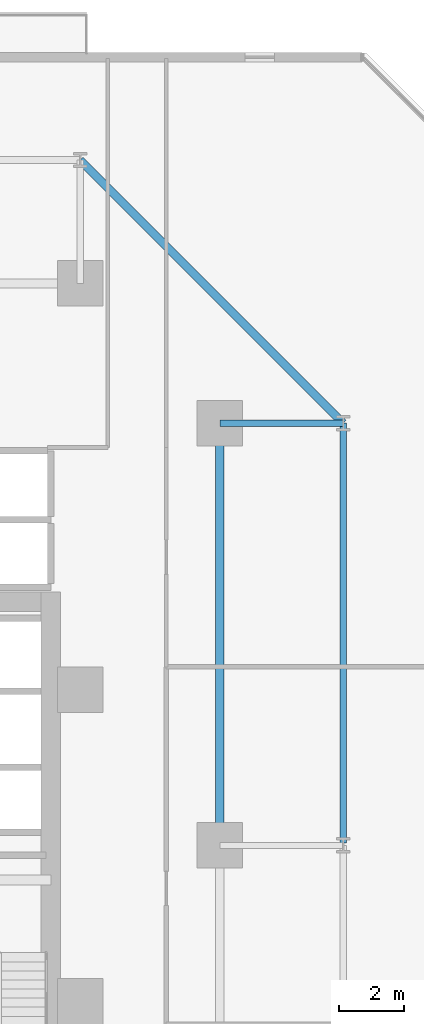
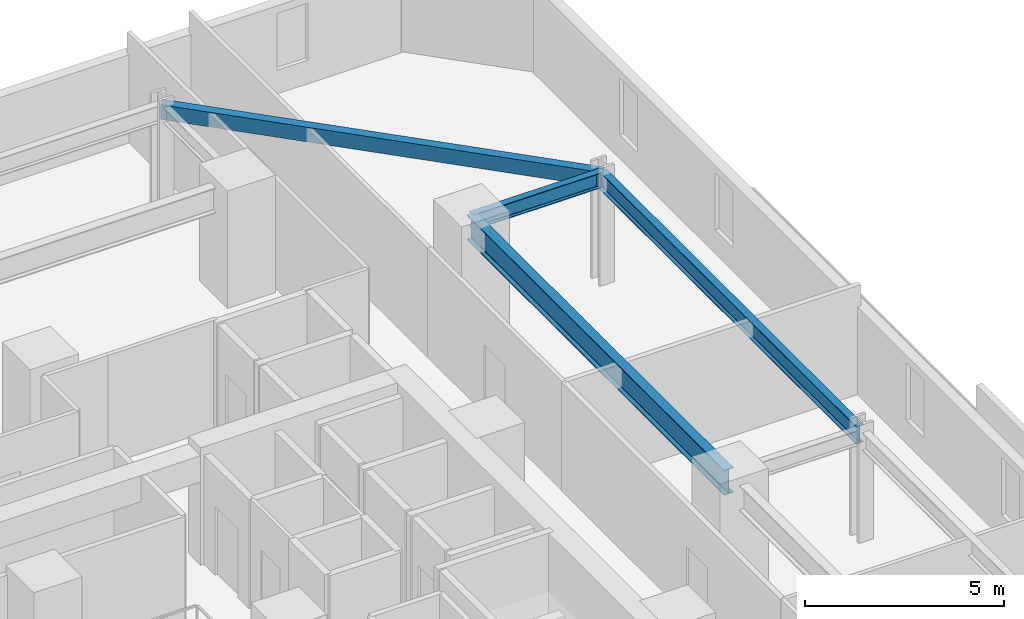
# One storey, part 17 of 34: 4 beams.
"""IFC4 building model written with IfcOpenShell, lengths in metres."""

from ifc_helpers import new_model, si_unit, direction, frame, origin, origin_2d, place, context, subcontext, project, spatial, hollow_rectangle, i_section, extrude, material, material_profile, profile_set, type_object, element, save


model = new_model("IFC4")

# Units and contexts
model_context = context("Model", 3, precision=1e-05, world=origin(), true_north=direction((0.0, 1.0)))
body_context = subcontext(model_context, "Body", "Model", "MODEL_VIEW")
ifc_project = project(units=[si_unit("LENGTHUNIT", "METRE"), si_unit("AREAUNIT", "SQUARE_METRE"), si_unit("VOLUMEUNIT", "CUBIC_METRE"), si_unit("PLANEANGLEUNIT", "RADIAN"), si_unit("MASSUNIT", "GRAM", prefix="KILO")], contexts=[model_context])

# Site, building, storey
site_placement = place(None, origin())
site = spatial("IfcSite", under=ifc_project, at=site_placement, CompositionType="ELEMENT")
building_placement = place(site_placement, origin())
building = spatial("IfcBuilding", under=site, at=building_placement, Name="Thornwick Lancets Civic Towers", CompositionType="ELEMENT")
storey_placement = place(building_placement, frame((0.0, 0.0, 60.89990234375)))
storey = spatial("IfcBuildingStorey", under=building, at=storey_placement, Name="L15", CompositionType="ELEMENT", Elevation=60.89990234375)

# Beams
ifc_material = material(Name="Steel S355JR", Category="steel")
ifc_material_profile_1 = material_profile(ifc_material, i_section(OverallWidth=0.2119140625, OverallDepth=0.54443359375, WebThickness=0.0126953125, FlangeThickness=0.021240234375, FilletRadius=0.0126953125, at=origin_2d()), Name="UKB 533x210x122")
ifc_profile_set_1 = profile_set([ifc_material_profile_1], Name="Steel S355JR")
beam_type_1 = type_object("IfcBeamType", Name="BM_EDGE_533_122", PredefinedType="SPANDREL", material=ifc_profile_set_1)
beam_1_placement = place(storey_placement, frame((109.60009765625, 27.080078125, 3.087890625), z_axis=(0.0, 1.0, 0.0), x_axis=(-1.0, 0.0, 0.0)))
element("IfcBeam", 1, at=beam_1_placement, inside=storey, type_object=beam_type_1, Name="BM-EDGE-L15-B-S0-2", PredefinedType="SPANDREL", context=body_context, shape_type="SweptSolid", body=[
    extrude(i_section(OverallWidth=0.2119140625, OverallDepth=0.54443359375, WebThickness=0.0126953125, FlangeThickness=0.021240234375, FilletRadius=0.0126953125, at=origin_2d()), origin(), (0.0, 0.0, 1.0), 12.919921875),
])
ifc_material_profile_2 = material_profile(ifc_material, i_section(OverallWidth=0.26806640625, OverallDepth=0.769775390625, WebThickness=0.015625, FlangeThickness=0.025390625, FilletRadius=0.0166015625, at=origin_2d()), Name="UKB 762x267x197")
ifc_profile_set_2 = profile_set([ifc_material_profile_2], Name="Steel S355JR")
beam_type_2 = type_object("IfcBeamType", Name="BM_GIRD_762_197", PredefinedType="BEAM", material=ifc_profile_set_2)
beam_2_placement = place(storey_placement, frame((105.800048828125, 27.080078125, 2.97509765625), z_axis=(0.0, 1.0, 0.0), x_axis=(-1.0, 0.0, 0.0)))
element("IfcBeam", 2, at=beam_2_placement, inside=storey, type_object=beam_type_2, Name="BM-SPINE-L15-B-1-2", PredefinedType="BEAM", context=body_context, shape_type="SweptSolid", body=[
    extrude(i_section(OverallWidth=0.26806640625, OverallDepth=0.769775390625, WebThickness=0.015625, FlangeThickness=0.025390625, FilletRadius=0.0166015625, at=origin_2d()), origin(), (0.0, 0.0, 1.0), 12.919921875),
])
ifc_material_profile_3 = material_profile(ifc_material, i_section(OverallWidth=0.19287109375, OverallDepth=0.46728515625, WebThickness=0.011474609375, FlangeThickness=0.01953125, FilletRadius=0.01025390625, at=origin_2d()), Name="UKB 457x191x98")
ifc_profile_set_3 = profile_set([ifc_material_profile_3], Name="Steel S355JR")
beam_type_3 = type_object("IfcBeamType", Name="BM_JOIST_457_98", PredefinedType="JOIST", material=ifc_profile_set_3)
beam_3_placement = place(storey_placement, frame((105.800048828125, 40.0, 3.12646484375), z_axis=(1.0, 0.0, 0.0), x_axis=(0.0, 1.0, 0.0)))
element("IfcBeam", 3, at=beam_3_placement, inside=storey, type_object=beam_type_3, Name="BM-RAD-L15-B03", PredefinedType="JOIST", context=body_context, shape_type="SweptSolid", body=[
    extrude(i_section(OverallWidth=0.19287109375, OverallDepth=0.46728515625, WebThickness=0.011474609375, FlangeThickness=0.01953125, FilletRadius=0.01025390625, at=origin_2d()), origin(), (0.0, 0.0, 1.0), 3.800048828125),
])
ifc_material_profile_4 = material_profile(ifc_material, hollow_rectangle(XDim=0.25, YDim=0.449951171875, WallThickness=0.01611328125, at=origin_2d()), Name="RHS 450x250x16")
ifc_profile_set_4 = profile_set([ifc_material_profile_4], Name="Steel S355JR")
beam_type_4 = type_object("IfcBeamType", Name="BM_RING_RHS450", PredefinedType="BEAM", material=ifc_profile_set_4)
beam_4_placement = place(storey_placement, frame((109.60009765625, 40.0, 3.135009765625), z_axis=(-0.707106781187, 0.707106781187, 0.0), x_axis=(-0.707106781187, -0.707106781187, 0.0)))
element("IfcBeam", 4, at=beam_4_placement, inside=storey, type_object=beam_type_4, Name="BM-CHAMF-L15-B-C0", PredefinedType="BEAM", context=body_context, shape_type="SweptSolid", body=[
    extrude(hollow_rectangle(XDim=0.25, YDim=0.449951171875, WallThickness=0.01611328125, at=origin_2d()), origin(), (0.0, 0.0, 1.0), 11.455322265625),
])

save(model, "model.ifc")
